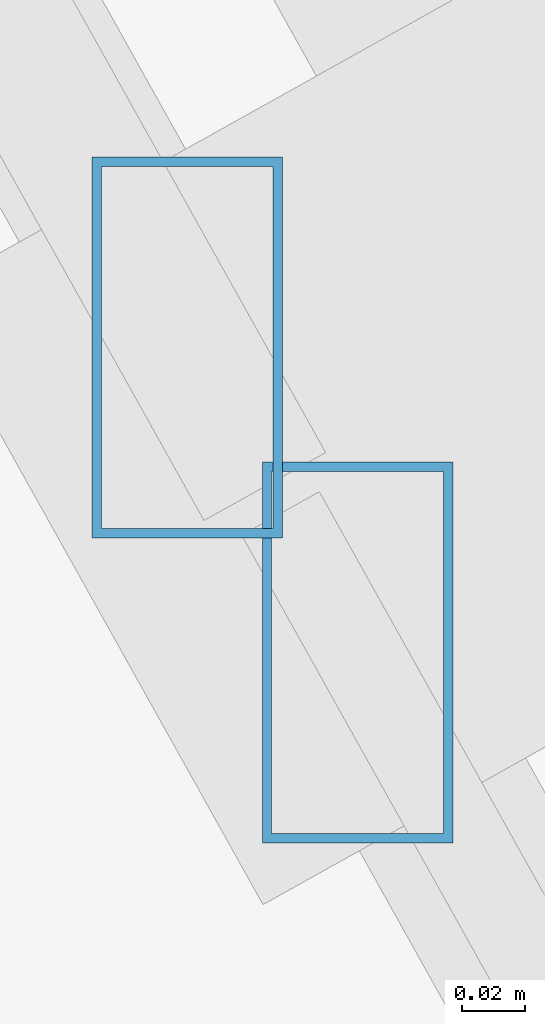
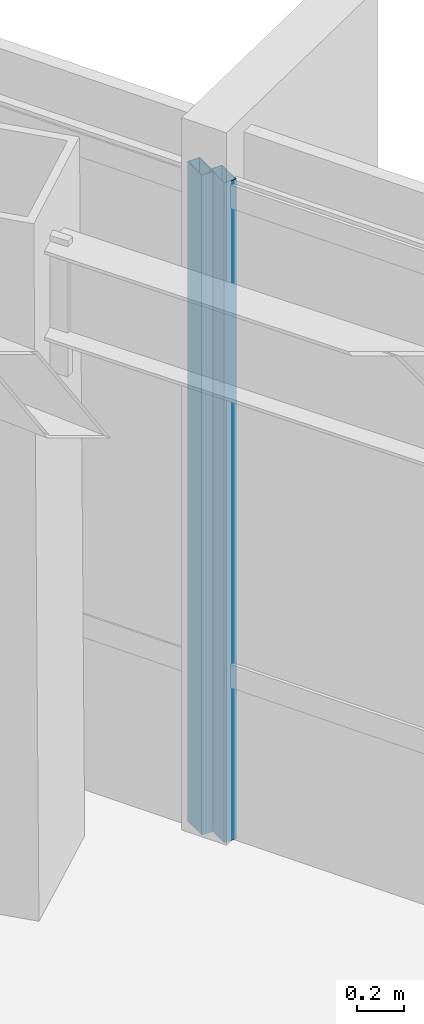
# One storey, part 29 of 48: 2 members, 2 elements without a shape of their own.
"""IFC4 building model written with IfcOpenShell, lengths in metres."""

from ifc_helpers import new_model, si_unit, direction, frame, origin, origin_2d, place, context, subcontext, project, spatial, hollow_rectangle, extrude, source, transform, mapped, material, material_profile, profile_set, type_object, type_shapes, element, aggregate, save


model = new_model("IFC4")

# Units and contexts
model_context = context("Model", 3, precision=1e-05, world=origin(), true_north=direction((0.0, 1.0)))
body_context = subcontext(model_context, "Body", "Model", "MODEL_VIEW")
ifc_project = project(units=[si_unit("LENGTHUNIT", "METRE"), si_unit("AREAUNIT", "SQUARE_METRE"), si_unit("VOLUMEUNIT", "CUBIC_METRE"), si_unit("PLANEANGLEUNIT", "RADIAN"), si_unit("MASSUNIT", "GRAM", prefix="KILO")], contexts=[model_context])

# Site, building, storey
site_placement = place(None, origin())
site = spatial("IfcSite", under=ifc_project, at=site_placement, CompositionType="ELEMENT")
building_placement = place(site_placement, origin())
building = spatial("IfcBuilding", under=site, at=building_placement, Name="Caelisora Broadcast Tower", CompositionType="ELEMENT")
storey_placement = place(building_placement, frame((0.0, 0.0, 270.0)))
storey = spatial("IfcBuildingStorey", under=building, at=storey_placement, Name="L71", CompositionType="ELEMENT", Elevation=270.0)

# Curtain wall, member
ifc_material_1 = material(Name="Unitised Aluminium Insulated Shadow-Box Spandrel Curtain Wall", Category="aluminium")
curtain_wall_type_1 = type_object("IfcCurtainWallType", Name="CW-SP3", PredefinedType="NOTDEFINED", material=ifc_material_1)
curtain_wall_1_placement = place(storey_placement, origin())
curtain_wall_1 = element("IfcCurtainWall", 1, at=curtain_wall_1_placement, inside=storey, type_object=curtain_wall_type_1, Name="L71 curtain wall CW-SP3", PredefinedType="NOTDEFINED")
ifc_material_2 = material(Name="Aluminium 6063-T6 Anodised Terracotta Bronze", Category="aluminium")
ifc_material_profile = material_profile(ifc_material_2, hollow_rectangle(XDim=0.06005859375, YDim=0.1201171875, WallThickness=0.0029296875, at=origin_2d()), Name="Aluminium 6063-T6 Anodised Terracotta Bronze")
ifc_profile_set = profile_set([ifc_material_profile], Name="Aluminium 6063-T6 Anodised Terracotta Bronze")
member_type = type_object("IfcMemberType", Name="CWM-04", PredefinedType="MULLION", material=ifc_profile_set)
shared_shape = source(origin(), body_context, "Body", "SweptSolid", [
    extrude(hollow_rectangle(XDim=0.06005859375, YDim=0.1201171875, WallThickness=0.0029296875, at=origin_2d()), origin(), (0.0, 0.0, 1.0), 3.39990234375),
])
type_shapes(member_type, [shared_shape])
member_1_placement = place(storey_placement, frame((54.375732421875, 25.838623046875, 0.0), z_axis=(0.0, 0.0, 1.0), x_axis=(1.0, 0.0, 0.0)))
member_1 = element("IfcMember", 2, at=member_1_placement, type_object=member_type, Name="L71-CW-B02 mullion #3", PredefinedType="MULLION", context=body_context, shape_type="MappedRepresentation", body=[
    mapped(shared_shape, transform((0.0, 0.0, 0.0), scale=1.0)),
])
aggregate(curtain_wall_1, [member_1])

ifc_material_3 = material(Name="Unitised Aluminium and Low-E Glass Curtain Wall", Category="glass")
curtain_wall_type_2 = type_object("IfcCurtainWallType", Name="CW-Z5", PredefinedType="NOTDEFINED", material=ifc_material_3)
curtain_wall_2_placement = place(storey_placement, origin())
curtain_wall_2 = element("IfcCurtainWall", 3, at=curtain_wall_2_placement, inside=storey, type_object=curtain_wall_type_2, Name="L71 curtain wall CW-Z5", PredefinedType="NOTDEFINED")
member_2_placement = place(storey_placement, frame((54.429443359375, 25.742431640625, 0.0), z_axis=(0.0, 0.0, 1.0), x_axis=(1.0, 0.0, 0.0)))
member_2 = element("IfcMember", 4, at=member_2_placement, type_object=member_type, Name="L71-CW-B03 mullion #0", PredefinedType="MULLION", context=body_context, shape_type="MappedRepresentation", body=[
    mapped(shared_shape, transform((0.0, 0.0, 0.0), scale=1.0)),
])
aggregate(curtain_wall_2, [member_2])

save(model, "model.ifc")
